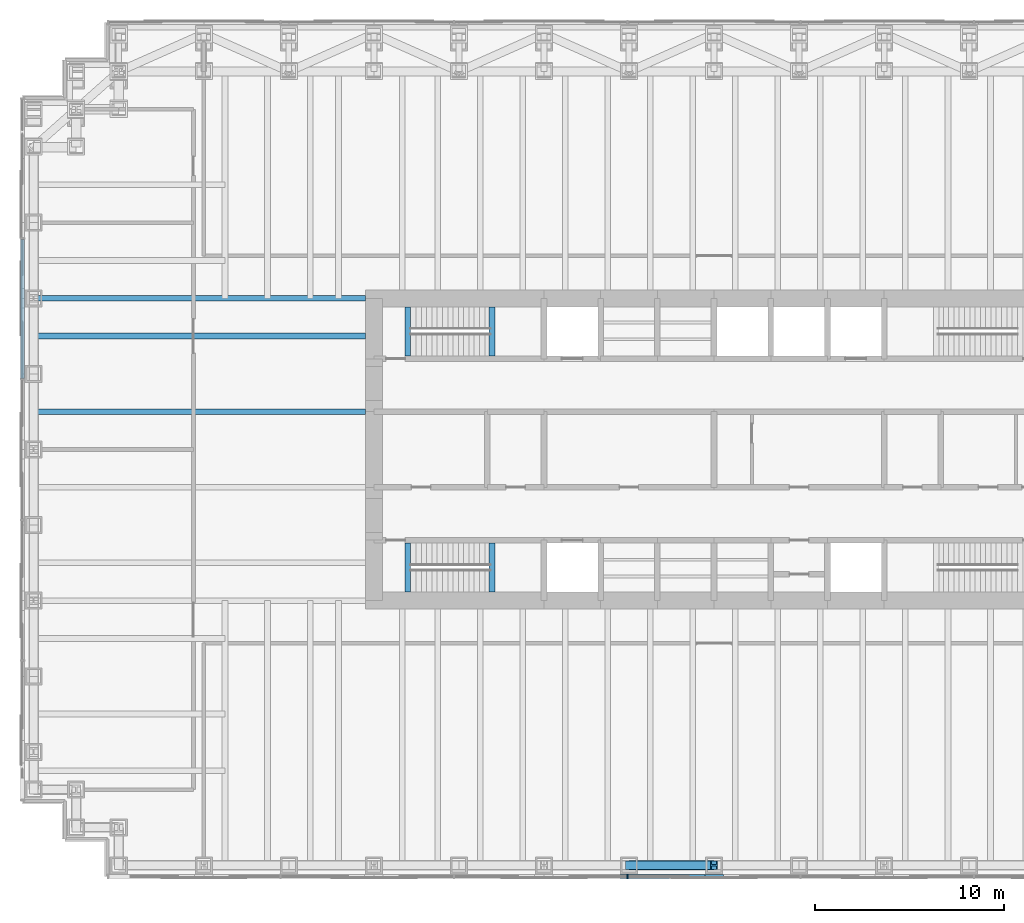
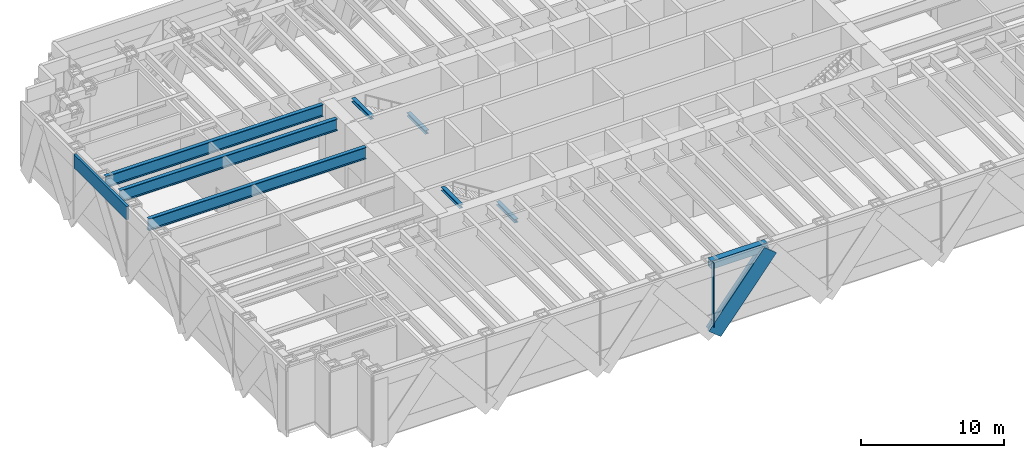
# One storey, part 3 of 16: 8 beams, 4 members, 2 elements without a shape of their own.
"""IFC4 building model written with IfcOpenShell, lengths in metres."""

from ifc_helpers import new_model, si_unit, direction, frame, origin, origin_2d, place, context, subcontext, project, spatial, rectangle, hollow_rectangle, i_section, extrude, material, material_profile, profile_set, type_object, element, aggregate, save


model = new_model("IFC4")

# Units and contexts
model_context = context("Model", 3, precision=1e-05, world=origin(), true_north=direction((0.0, 1.0)))
body_context = subcontext(model_context, "Body", "Model", "MODEL_VIEW")
ifc_project = project(units=[si_unit("LENGTHUNIT", "METRE"), si_unit("AREAUNIT", "SQUARE_METRE"), si_unit("VOLUMEUNIT", "CUBIC_METRE"), si_unit("PLANEANGLEUNIT", "RADIAN"), si_unit("MASSUNIT", "GRAM", prefix="KILO")], contexts=[model_context])

# Site, building, storey
site_placement = place(None, origin())
site = spatial("IfcSite", under=ifc_project, at=site_placement, CompositionType="ELEMENT")
building_placement = place(site_placement, origin())
building = spatial("IfcBuilding", under=site, at=building_placement, Name="Rheinbord Bourse Tower", CompositionType="ELEMENT")
storey_placement = place(building_placement, frame((0.0, 0.0, 180.300048828125)))
storey = spatial("IfcBuildingStorey", under=building, at=storey_placement, Name="L40", CompositionType="ELEMENT", Elevation=180.300048828125)

# Beam
ifc_material_1 = material(Name="Steel S460M", Category="steel")
ifc_material_profile_1 = material_profile(ifc_material_1, hollow_rectangle(XDim=0.5, YDim=0.699951171875, WallThickness=0.0400390625, at=origin_2d()), Name="BOX 700x500x40")
ifc_profile_set_1 = profile_set([ifc_material_profile_1], Name="Steel S460M")
beam_type_1 = type_object("IfcBeamType", Name="BELT CHORD BOX 700x500x40", PredefinedType="SPANDREL", material=ifc_profile_set_1)
beam_1_placement = place(storey_placement, frame((31.5, 2.0, 4.989990234375), z_axis=(1.0, 0.0, 0.0), x_axis=(0.0, 1.0, 0.0)))
element("IfcBeam", 1, at=beam_1_placement, inside=storey, type_object=beam_type_1, Name="Spandrel S-31.5-S-36 under L41", PredefinedType="SPANDREL", context=body_context, shape_type="SweptSolid", body=[
    extrude(hollow_rectangle(XDim=0.5, YDim=0.699951171875, WallThickness=0.0400390625, at=origin_2d()), origin(), (0.0, 0.0, 1.0), 4.5),
])

# Member
ifc_material_2 = material(Name="Steel S460", Category="steel")
ifc_material_profile_2 = material_profile(ifc_material_2, i_section(OverallWidth=0.431884765625, OverallDepth=0.498046875, WebThickness=0.0556640625, FlangeThickness=0.0888671875, at=origin_2d()), Name="HD 400x744")
ifc_profile_set_2 = profile_set([ifc_material_profile_2], Name="Steel S460")
member_type_1 = type_object("IfcMemberType", Name="BELT DIAGONAL HD 400x744", PredefinedType="STRUT", material=ifc_profile_set_2)
member_1_placement = place(storey_placement, frame((31.5, 2.0, -0.60009765625), z_axis=(0.627065297878, 0.0, 0.778966695178), x_axis=(0.0, 1.0, 0.0)))
element("IfcMember", 2, at=member_1_placement, inside=storey, type_object=member_type_1, Name="Belt truss diagonal S-31.5-S-36 L40", PredefinedType="STRUT", context=body_context, shape_type="SweptSolid", body=[
    extrude(i_section(OverallWidth=0.431884765625, OverallDepth=0.498046875, WebThickness=0.0556640625, FlangeThickness=0.0888671875, at=origin_2d()), origin(), (0.0, 0.0, 1.0), 7.17626953125),
])

# Curtain wall, members
ifc_material_3 = material(Name="Dark glass and black aluminium", Category="aluminium")
curtain_wall_type = type_object("IfcCurtainWallType", Name="CW5 DARK GLASS CURTAIN WALL", PredefinedType="USERDEFINED", material=ifc_material_3)
curtain_wall_1_placement = place(storey_placement, origin())
curtain_wall_1 = element("IfcCurtainWall", 3, at=curtain_wall_1_placement, inside=storey, type_object=curtain_wall_type, Name="Curtain wall CW5 S L40", ObjectType="UNITISED CURTAIN WALL", PredefinedType="USERDEFINED")
ifc_material_4 = material(Name="Black anodised aluminium", Category="aluminium")
ifc_material_profile_3 = material_profile(ifc_material_4, rectangle(XDim=0.199951171875, YDim=1.259033203125, at=origin_2d()), Name="CW5 DIAGONAL MULLION 1259x200")
ifc_profile_set_3 = profile_set([ifc_material_profile_3], Name="Black anodised aluminium")
member_type_2 = type_object("IfcMemberType", Name="CW5 BLACK DIAGONAL MULLION", PredefinedType="USERDEFINED", material=ifc_profile_set_3)
member_2_placement = place(storey_placement, frame((31.5, 1.39990234375, -0.60009765625), z_axis=(0.627065297878, 0.0, 0.778966695178), x_axis=(0.0, 1.0, 0.0)))
member_2 = element("IfcMember", 4, at=member_2_placement, type_object=member_type_2, Name="CW5 diagonal mullion belt S-31.5", ObjectType="DIAGONAL MULLION", PredefinedType="USERDEFINED", context=body_context, shape_type="SweptSolid", body=[
    extrude(rectangle(XDim=0.199951171875, YDim=1.259033203125, at=origin_2d()), origin(), (0.0, 0.0, 1.0), 7.17626953125),
])
ifc_material_5 = material(Name="Black anodised aluminium", Category="aluminium")
ifc_material_profile_4 = material_profile(ifc_material_5, rectangle(XDim=0.25, YDim=0.080078125, at=origin_2d()), Name="CW5 MULLION 80x250")
ifc_profile_set_4 = profile_set([ifc_material_profile_4], Name="Black anodised aluminium")
member_type_3 = type_object("IfcMemberType", Name="CW5 BLACK MULLION", PredefinedType="MULLION", material=ifc_profile_set_4)
member_3_placement = place(storey_placement, frame((31.414306640625, 1.39990234375, 0.0), z_axis=(0.0, 0.0, 1.0), x_axis=(0.0, 1.0, 0.0)))
member_3 = element("IfcMember", 5, at=member_3_placement, type_object=member_type_3, Name="CW5 mullion 4", PredefinedType="MULLION", context=body_context, shape_type="SweptSolid", body=[
    extrude(rectangle(XDim=0.25, YDim=0.080078125, at=origin_2d()), origin(), (0.0, 0.0, 1.0), 5.5),
])
aggregate(curtain_wall_1, [member_3, member_2])

# Curtain wall, member
curtain_wall_2_placement = place(storey_placement, origin())
curtain_wall_2 = element("IfcCurtainWall", 6, at=curtain_wall_2_placement, inside=storey, type_object=curtain_wall_type, Name="Curtain wall CW5 W L40", ObjectType="UNITISED CURTAIN WALL", PredefinedType="USERDEFINED")
ifc_material_6 = material(Name="Black anodised aluminium", Category="aluminium")
ifc_material_profile_5 = material_profile(ifc_material_6, rectangle(XDim=0.199951171875, YDim=1.14990234375, at=origin_2d()), Name="CW5 TRANSOM 1150x200")
ifc_profile_set_5 = profile_set([ifc_material_profile_5], Name="Black anodised aluminium")
member_type_4 = type_object("IfcMemberType", Name="CW5 BLACK TRANSOM", PredefinedType="USERDEFINED", material=ifc_profile_set_5)
member_4_placement = place(storey_placement, frame((-0.60009765625, 35.1201171875, 4.925048828125), z_axis=(0.0, -1.0, 0.0), x_axis=(1.0, 0.0, 0.0)))
member_4 = element("IfcMember", 7, at=member_4_placement, type_object=member_type_4, Name="CW5 transom 2.2", ObjectType="TRANSOM", PredefinedType="USERDEFINED", context=body_context, shape_type="SweptSolid", body=[
    extrude(rectangle(XDim=0.199951171875, YDim=1.14990234375, at=origin_2d()), origin(), (0.0, 0.0, 1.0), 7.360107421875),
])
aggregate(curtain_wall_2, [member_4])

# Beams
ifc_material_7 = material(Name="Steel S460", Category="steel")
ifc_material_profile_6 = material_profile(ifc_material_7, i_section(OverallWidth=0.302001953125, OverallDepth=1.008056640625, WebThickness=0.02099609375, FlangeThickness=0.0400390625, at=origin_2d()), Name="HEM 1000")
ifc_profile_set_6 = profile_set([ifc_material_profile_6], Name="Steel S460")
beam_type_2 = type_object("IfcBeamType", Name="END BEAM HEM 1000", PredefinedType="BEAM", material=ifc_profile_set_6)
for number, where, z_axis, x_axis, name in (
    (8, (0.0, 26.0, 4.8359375), (1.0, 0.0, 0.0), (0.0, 1.0, 0.0), "End beam west 26 L41"),
    (9, (0.0, 30.0, 4.8359375), (1.0, 0.0, 0.0), (0.0, 1.0, 0.0), "End beam west 30 L41"),
):
    element("IfcBeam", number, at=place(storey_placement, frame(where, z_axis=z_axis, x_axis=x_axis)), inside=storey, type_object=beam_type_2, Name=name, PredefinedType="BEAM", context=body_context, shape_type="SweptSolid", body=[
        extrude(i_section(OverallWidth=0.302001953125, OverallDepth=1.008056640625, WebThickness=0.02099609375, FlangeThickness=0.0400390625, at=origin_2d()), origin(), (0.0, 0.0, 1.0), 17.550048828125),
    ])
ifc_material_8 = material(Name="Steel S460", Category="steel")
ifc_material_profile_7 = material_profile(ifc_material_8, i_section(OverallWidth=0.302001953125, OverallDepth=1.008056640625, WebThickness=0.02099609375, FlangeThickness=0.0400390625, at=origin_2d()), Name="HEM 1000")
ifc_profile_set_7 = profile_set([ifc_material_profile_7], Name="Steel S460")
beam_type_3 = type_object("IfcBeamType", Name="GIRDER HEM 1000", PredefinedType="BEAM", material=ifc_profile_set_7)
beam_2_placement = place(storey_placement, frame((0.0, 32.0, 4.8359375), z_axis=(1.0, 0.0, 0.0), x_axis=(0.0, 1.0, 0.0)))
element("IfcBeam", 10, at=beam_2_placement, inside=storey, type_object=beam_type_3, Name="Girder west 32 L41", PredefinedType="BEAM", context=body_context, shape_type="SweptSolid", body=[
    extrude(i_section(OverallWidth=0.302001953125, OverallDepth=1.008056640625, WebThickness=0.02099609375, FlangeThickness=0.0400390625, at=origin_2d()), origin(), (0.0, 0.0, 1.0), 17.550048828125),
])
ifc_material_9 = material(Name="Steel S460", Category="steel")
ifc_material_profile_8 = material_profile(ifc_material_9, i_section(OverallWidth=0.300048828125, OverallDepth=0.300048828125, WebThickness=0.010986328125, FlangeThickness=0.01904296875, at=origin_2d()), Name="HEB 300")
ifc_profile_set_8 = profile_set([ifc_material_profile_8], Name="Steel S460")
beam_type_4 = type_object("IfcBeamType", Name="LANDING TRIMMER HEB 300", PredefinedType="BEAM", material=ifc_profile_set_8)
for number, where, z_axis, x_axis, name in (
    (11, (24.25, 16.449951171875, 2.39990234375), (0.0, 1.0, 0.0), (-1.0, 0.0, 0.0), "Landing trimmer ST1 L40"),
    (12, (19.800048828125, 16.449951171875, 5.18994140625), (0.0, 1.0, 0.0), (-1.0, 0.0, 0.0), "Well trimmer ST1 under L41"),
    (13, (24.25, 28.949951171875, 2.39990234375), (0.0, 1.0, 0.0), (-1.0, 0.0, 0.0), "Landing trimmer ST2 L40"),
    (14, (19.800048828125, 28.949951171875, 5.18994140625), (0.0, 1.0, 0.0), (-1.0, 0.0, 0.0), "Well trimmer ST2 under L41"),
):
    element("IfcBeam", number, at=place(storey_placement, frame(where, z_axis=z_axis, x_axis=x_axis)), inside=storey, type_object=beam_type_4, Name=name, PredefinedType="BEAM", context=body_context, shape_type="SweptSolid", body=[
        extrude(i_section(OverallWidth=0.300048828125, OverallDepth=0.300048828125, WebThickness=0.010986328125, FlangeThickness=0.01904296875, at=origin_2d()), origin(), (0.0, 0.0, 1.0), 2.60009765625),
    ])

save(model, "model.ifc")
